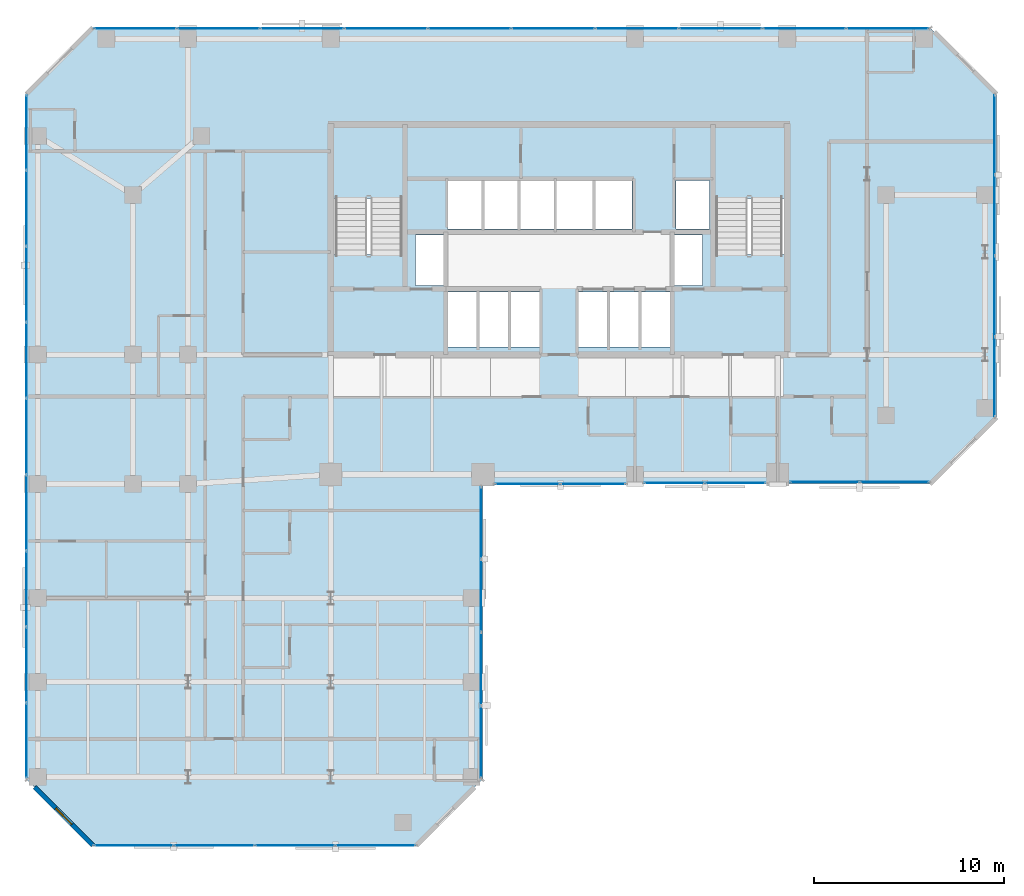
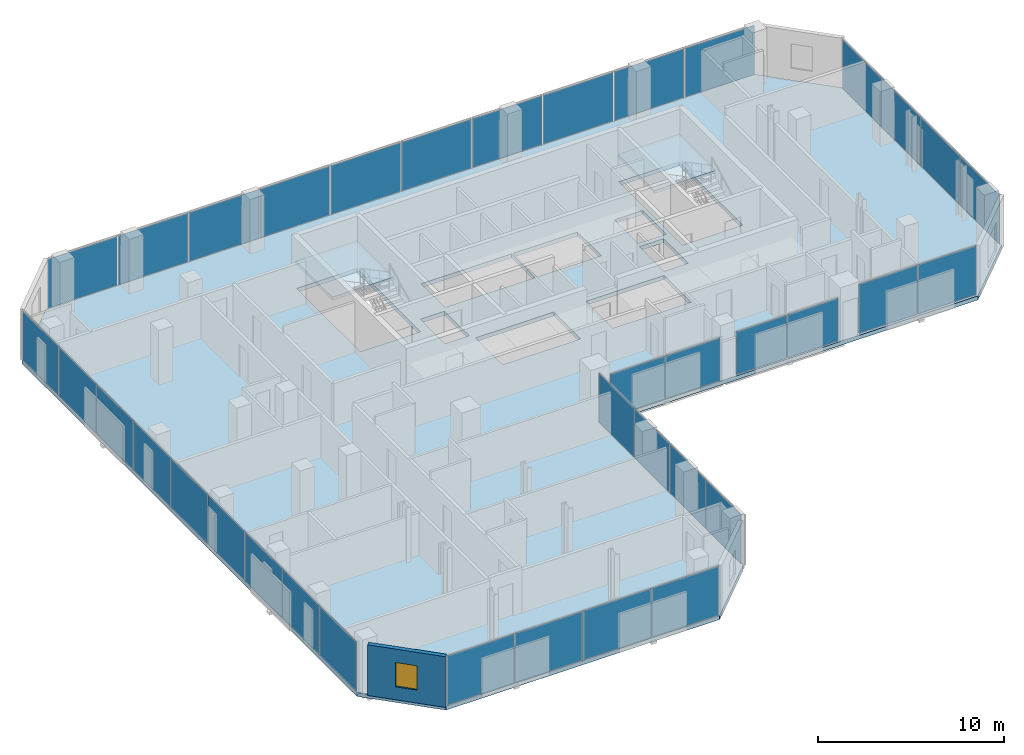
# One storey, part 27 of 35: 37 plates, 3 slabs, 1 wall, 1 window, 1 opening, 10 elements without a shape of their own.
"""IFC4 building model written with IfcOpenShell, lengths in metres."""

from ifc_helpers import new_model, si_unit, direction, frame, frame_2d, origin, origin_2d, place, context, subcontext, project, spatial, polyline, rectangle, outline, extrude, material, layer, layer_set, type_object, element, fill, aggregate, save


model = new_model("IFC4")

# Units and contexts
model_context = context("Model", 3, precision=1e-05, world=origin(), true_north=direction((0.0, 1.0)))
body_context = subcontext(model_context, "Body", "Model", "MODEL_VIEW")
ifc_project = project(units=[si_unit("LENGTHUNIT", "METRE"), si_unit("AREAUNIT", "SQUARE_METRE"), si_unit("VOLUMEUNIT", "CUBIC_METRE"), si_unit("PLANEANGLEUNIT", "RADIAN"), si_unit("MASSUNIT", "GRAM", prefix="KILO")], contexts=[model_context])

# Site, building, storey
site_placement = place(None, origin())
site = spatial("IfcSite", under=ifc_project, at=site_placement, CompositionType="ELEMENT")
building_placement = place(site_placement, origin())
building = spatial("IfcBuilding", under=site, at=building_placement, Name="Catumbela Crestline Tower", CompositionType="ELEMENT")
storey_placement = place(building_placement, frame((0.0, 0.0, 90.0)))
storey = spatial("IfcBuildingStorey", under=building, at=storey_placement, Name="L22", CompositionType="ELEMENT", Elevation=90.0)

# Curtain wall, plates
ifc_material_1 = material(Name="Aluminium alloy AW-6060-T66", Category="aluminium")
ifc_layer_1 = layer(ifc_material_1, 0.18, Name="Aluminium alloy AW-6060-T66")
ifc_layer_set_1 = layer_set([ifc_layer_1], Name="Aluminium alloy AW-6060-T66")
curtain_wall_type = type_object("IfcCurtainWallType", Name="CWU-Z2", PredefinedType="USERDEFINED", material=ifc_layer_set_1)
curtain_wall_1_placement = place(storey_placement, origin())
curtain_wall_1 = element("IfcCurtainWall", 1, at=curtain_wall_1_placement, inside=storey, type_object=curtain_wall_type, Name="L22 Unitised Curtain Wall CW-L22-E0S1", ObjectType="UNITISED", PredefinedType="USERDEFINED")
ifc_material_2 = material(Name="Low-E laminated solar-control double glazing", Category="glass")
ifc_layer_2 = layer(ifc_material_2, 0.036, Name="Low-E laminated solar-control double glazing")
ifc_layer_set_2 = layer_set([ifc_layer_2], Name="Low-E laminated solar-control double glazing")
plate_type = type_object("IfcPlateType", Name="PNL-GLZ-Z2", PredefinedType="CURTAIN_PANEL", material=ifc_layer_set_2)
plate_1_placement = place(storey_placement, frame((5.6412, 5.0, 0.06), z_axis=(0.0, 0.0, 1.0), x_axis=(1.0, 0.0, 0.0)))
plate_1 = element("IfcPlate", 2, at=plate_1_placement, type_object=plate_type, Name="CWU-Z2 panel 1.1", PredefinedType="CURTAIN_PANEL", context=body_context, shape_type="SweptSolid", body=[
    extrude(rectangle(XDim=4.1525, YDim=0.034, at=origin_2d()), origin(), (0.0, 0.0, 1.0), 3.21),
])
plate_2_placement = place(storey_placement, frame((9.875, 5.0, 0.06), z_axis=(0.0, 0.0, 1.0), x_axis=(1.0, 0.0, 0.0)))
plate_2 = element("IfcPlate", 3, at=plate_2_placement, type_object=plate_type, Name="CWU-Z2 panel 2.1", PredefinedType="CURTAIN_PANEL", context=body_context, shape_type="SweptSolid", body=[
    extrude(rectangle(XDim=4.185, YDim=0.034, at=origin_2d()), origin(), (0.0, 0.0, 1.0), 3.21),
])
plate_3_placement = place(storey_placement, frame((14.125, 5.0, 0.06), z_axis=(0.0, 0.0, 1.0), x_axis=(1.0, 0.0, 0.0)))
plate_3 = element("IfcPlate", 4, at=plate_3_placement, type_object=plate_type, Name="CWU-Z2 panel 3.1", PredefinedType="CURTAIN_PANEL", context=body_context, shape_type="SweptSolid", body=[
    extrude(rectangle(XDim=4.185, YDim=0.034, at=origin_2d()), origin(), (0.0, 0.0, 1.0), 3.21),
])
plate_4_placement = place(storey_placement, frame((18.3588, 5.0, 0.06), z_axis=(0.0, 0.0, 1.0), x_axis=(1.0, 0.0, 0.0)))
plate_4 = element("IfcPlate", 5, at=plate_4_placement, type_object=plate_type, Name="CWU-Z2 panel 4.1", PredefinedType="CURTAIN_PANEL", context=body_context, shape_type="SweptSolid", body=[
    extrude(rectangle(XDim=4.1525, YDim=0.034, at=origin_2d()), origin(), (0.0, 0.0, 1.0), 3.21),
])
aggregate(curtain_wall_1, [plate_1, plate_2, plate_3, plate_4])

curtain_wall_2_placement = place(storey_placement, origin())
curtain_wall_2 = element("IfcCurtainWall", 6, at=curtain_wall_2_placement, inside=storey, type_object=curtain_wall_type, Name="L22 Unitised Curtain Wall CW-L22-E2S1", ObjectType="UNITISED", PredefinedType="USERDEFINED")
plate_5_placement = place(storey_placement, frame((23.9, 10.4412, 0.06), z_axis=(0.0, 0.0, 1.0), x_axis=(0.0, 1.0, 0.0)))
plate_5 = element("IfcPlate", 7, at=plate_5_placement, type_object=plate_type, Name="CWU-Z2 panel 1.1", PredefinedType="CURTAIN_PANEL", context=body_context, shape_type="SweptSolid", body=[
    extrude(rectangle(XDim=3.7525, YDim=0.034, at=origin_2d()), origin(), (0.0, 0.0, 1.0), 3.21),
])
plate_6_placement = place(storey_placement, frame((23.9, 14.275, 0.06), z_axis=(0.0, 0.0, 1.0), x_axis=(0.0, 1.0, 0.0)))
plate_6 = element("IfcPlate", 8, at=plate_6_placement, type_object=plate_type, Name="CWU-Z2 panel 2.1", PredefinedType="CURTAIN_PANEL", context=body_context, shape_type="SweptSolid", body=[
    extrude(rectangle(XDim=3.785, YDim=0.034, at=origin_2d()), origin(), (0.0, 0.0, 1.0), 3.21),
])
plate_7_placement = place(storey_placement, frame((23.9, 18.125, 0.06), z_axis=(0.0, 0.0, 1.0), x_axis=(0.0, 1.0, 0.0)))
plate_7 = element("IfcPlate", 9, at=plate_7_placement, type_object=plate_type, Name="CWU-Z2 panel 3.1", PredefinedType="CURTAIN_PANEL", context=body_context, shape_type="SweptSolid", body=[
    extrude(rectangle(XDim=3.785, YDim=0.034, at=origin_2d()), origin(), (0.0, 0.0, 1.0), 3.21),
])
plate_8_placement = place(storey_placement, frame((23.9, 21.9587, 0.06), z_axis=(0.0, 0.0, 1.0), x_axis=(0.0, 1.0, 0.0)))
plate_8 = element("IfcPlate", 10, at=plate_8_placement, type_object=plate_type, Name="CWU-Z2 panel 4.1", PredefinedType="CURTAIN_PANEL", context=body_context, shape_type="SweptSolid", body=[
    extrude(rectangle(XDim=3.7525, YDim=0.034, at=origin_2d()), origin(), (0.0, 0.0, 1.0), 3.21),
])
aggregate(curtain_wall_2, [plate_5, plate_6, plate_7, plate_8])

curtain_wall_3_placement = place(storey_placement, origin())
curtain_wall_3 = element("IfcCurtainWall", 11, at=curtain_wall_3_placement, inside=storey, type_object=curtain_wall_type, Name="L22 Unitised Curtain Wall CW-L22-E3S1", ObjectType="UNITISED", PredefinedType="USERDEFINED")
plate_9_placement = place(storey_placement, frame((26.3538, 24.0, 0.06), z_axis=(0.0, 0.0, 1.0), x_axis=(1.0, 0.0, 0.0)))
plate_9 = element("IfcPlate", 12, at=plate_9_placement, type_object=plate_type, Name="CWU-Z2 panel 1.1", PredefinedType="CURTAIN_PANEL", context=body_context, shape_type="SweptSolid", body=[
    extrude(rectangle(XDim=3.3775, YDim=0.034, at=origin_2d()), origin(), (0.0, 0.0, 1.0), 2.8),
])
plate_10_placement = place(storey_placement, frame((29.7962, 24.0, 0.06), z_axis=(0.0, 0.0, 1.0), x_axis=(1.0, 0.0, 0.0)))
plate_10 = element("IfcPlate", 13, at=plate_10_placement, type_object=plate_type, Name="CWU-Z2 panel 2.1", PredefinedType="CURTAIN_PANEL", context=body_context, shape_type="SweptSolid", body=[
    extrude(rectangle(XDim=3.3775, YDim=0.034, at=origin_2d()), origin(), (0.0, 0.0, 1.0), 2.8),
])
aggregate(curtain_wall_3, [plate_9, plate_10])

curtain_wall_4_placement = place(storey_placement, origin())
curtain_wall_4 = element("IfcCurtainWall", 14, at=curtain_wall_4_placement, inside=storey, type_object=curtain_wall_type, Name="L22 Unitised Curtain Wall CW-L22-E3S2", ObjectType="UNITISED", PredefinedType="USERDEFINED")
plate_11_placement = place(storey_placement, frame((34.0788, 24.05, 0.06), z_axis=(0.0, 0.0, 1.0), x_axis=(1.0, 0.0, 0.0)))
plate_11 = element("IfcPlate", 15, at=plate_11_placement, type_object=plate_type, Name="CWU-Z2 panel 1.1", PredefinedType="CURTAIN_PANEL", context=body_context, shape_type="SweptSolid", body=[
    extrude(rectangle(XDim=3.1275, YDim=0.034, at=origin_2d()), origin(), (0.0, 0.0, 1.0), 2.8),
])
plate_12_placement = place(storey_placement, frame((37.2712, 24.05, 0.06), z_axis=(0.0, 0.0, 1.0), x_axis=(1.0, 0.0, 0.0)))
plate_12 = element("IfcPlate", 16, at=plate_12_placement, type_object=plate_type, Name="CWU-Z2 panel 2.1", PredefinedType="CURTAIN_PANEL", context=body_context, shape_type="SweptSolid", body=[
    extrude(rectangle(XDim=3.1275, YDim=0.034, at=origin_2d()), origin(), (0.0, 0.0, 1.0), 2.8),
])
aggregate(curtain_wall_4, [plate_11, plate_12])

curtain_wall_5_placement = place(storey_placement, origin())
curtain_wall_5 = element("IfcCurtainWall", 17, at=curtain_wall_5_placement, inside=storey, type_object=curtain_wall_type, Name="L22 Unitised Curtain Wall CW-L22-E3S3", ObjectType="UNITISED", PredefinedType="USERDEFINED")
plate_13_placement = place(storey_placement, frame((41.9662, 24.1, 0.06), z_axis=(0.0, 0.0, 1.0), x_axis=(1.0, 0.0, 0.0)))
plate_13 = element("IfcPlate", 18, at=plate_13_placement, type_object=plate_type, Name="CWU-Z2 panel 1.1", PredefinedType="CURTAIN_PANEL", context=body_context, shape_type="SweptSolid", body=[
    extrude(rectangle(XDim=3.6025, YDim=0.034, at=origin_2d()), origin(), (0.0, 0.0, 1.0), 3.21),
])
plate_14_placement = place(storey_placement, frame((45.6338, 24.1, 0.06), z_axis=(0.0, 0.0, 1.0), x_axis=(1.0, 0.0, 0.0)))
plate_14 = element("IfcPlate", 19, at=plate_14_placement, type_object=plate_type, Name="CWU-Z2 panel 2.1", PredefinedType="CURTAIN_PANEL", context=body_context, shape_type="SweptSolid", body=[
    extrude(rectangle(XDim=3.6025, YDim=0.034, at=origin_2d()), origin(), (0.0, 0.0, 1.0), 3.21),
])
aggregate(curtain_wall_5, [plate_13, plate_14])

curtain_wall_6_placement = place(storey_placement, origin())
curtain_wall_6 = element("IfcCurtainWall", 20, at=curtain_wall_6_placement, inside=storey, type_object=curtain_wall_type, Name="L22 Unitised Curtain Wall CW-L22-E5S1", ObjectType="UNITISED", PredefinedType="USERDEFINED")
plate_15_placement = place(storey_placement, frame((50.9, 29.6412, 0.06), z_axis=(0.0, 0.0, 1.0), x_axis=(0.0, 1.0, 0.0)))
plate_15 = element("IfcPlate", 21, at=plate_15_placement, type_object=plate_type, Name="CWU-Z2 panel 1.1", PredefinedType="CURTAIN_PANEL", context=body_context, shape_type="SweptSolid", body=[
    extrude(rectangle(XDim=4.1525, YDim=0.034, at=origin_2d()), origin(), (0.0, 0.0, 1.0), 3.21),
])
plate_16_placement = place(storey_placement, frame((50.9, 33.875, 0.06), z_axis=(0.0, 0.0, 1.0), x_axis=(0.0, 1.0, 0.0)))
plate_16 = element("IfcPlate", 22, at=plate_16_placement, type_object=plate_type, Name="CWU-Z2 panel 2.1", PredefinedType="CURTAIN_PANEL", context=body_context, shape_type="SweptSolid", body=[
    extrude(rectangle(XDim=4.185, YDim=0.034, at=origin_2d()), origin(), (0.0, 0.0, 1.0), 3.21),
])
plate_17_placement = place(storey_placement, frame((50.9, 38.125, 0.06), z_axis=(0.0, 0.0, 1.0), x_axis=(0.0, 1.0, 0.0)))
plate_17 = element("IfcPlate", 23, at=plate_17_placement, type_object=plate_type, Name="CWU-Z2 panel 3.1", PredefinedType="CURTAIN_PANEL", context=body_context, shape_type="SweptSolid", body=[
    extrude(rectangle(XDim=4.185, YDim=0.034, at=origin_2d()), origin(), (0.0, 0.0, 1.0), 3.21),
])
plate_18_placement = place(storey_placement, frame((50.9, 42.3588, 0.06), z_axis=(0.0, 0.0, 1.0), x_axis=(0.0, 1.0, 0.0)))
plate_18 = element("IfcPlate", 24, at=plate_18_placement, type_object=plate_type, Name="CWU-Z2 panel 4.1", PredefinedType="CURTAIN_PANEL", context=body_context, shape_type="SweptSolid", body=[
    extrude(rectangle(XDim=4.1525, YDim=0.034, at=origin_2d()), origin(), (0.0, 0.0, 1.0), 3.21),
])
aggregate(curtain_wall_6, [plate_15, plate_16, plate_17, plate_18])

curtain_wall_7_placement = place(storey_placement, origin())
curtain_wall_7 = element("IfcCurtainWall", 25, at=curtain_wall_7_placement, inside=storey, type_object=curtain_wall_type, Name="L22 Unitised Curtain Wall CW-L22-E7S1", ObjectType="UNITISED", PredefinedType="USERDEFINED")
plate_19_placement = place(storey_placement, frame((45.2838, 47.95, 0.06), z_axis=(0.0, 0.0, 1.0), x_axis=(-1.0, 0.0, 0.0)))
plate_19 = element("IfcPlate", 26, at=plate_19_placement, type_object=plate_type, Name="CWU-Z2 panel 1.1", PredefinedType="CURTAIN_PANEL", context=body_context, shape_type="SweptSolid", body=[
    extrude(rectangle(XDim=4.3025, YDim=0.034, at=origin_2d()), origin(), (0.0, 0.0, 1.0), 3.21),
])
plate_20_placement = place(storey_placement, frame((40.9, 47.95, 0.06), z_axis=(0.0, 0.0, 1.0), x_axis=(-1.0, 0.0, 0.0)))
plate_20 = element("IfcPlate", 27, at=plate_20_placement, type_object=plate_type, Name="CWU-Z2 panel 2.1", PredefinedType="CURTAIN_PANEL", context=body_context, shape_type="SweptSolid", body=[
    extrude(rectangle(XDim=4.335, YDim=0.034, at=origin_2d()), origin(), (0.0, 0.0, 1.0), 3.21),
])
plate_21_placement = place(storey_placement, frame((36.5, 47.95, 0.06), z_axis=(0.0, 0.0, 1.0), x_axis=(-1.0, 0.0, 0.0)))
plate_21 = element("IfcPlate", 28, at=plate_21_placement, type_object=plate_type, Name="CWU-Z2 panel 3.1", PredefinedType="CURTAIN_PANEL", context=body_context, shape_type="SweptSolid", body=[
    extrude(rectangle(XDim=4.335, YDim=0.034, at=origin_2d()), origin(), (0.0, 0.0, 1.0), 3.21),
])
plate_22_placement = place(storey_placement, frame((32.1, 47.95, 0.06), z_axis=(0.0, 0.0, 1.0), x_axis=(-1.0, 0.0, 0.0)))
plate_22 = element("IfcPlate", 29, at=plate_22_placement, type_object=plate_type, Name="CWU-Z2 panel 4.1", PredefinedType="CURTAIN_PANEL", context=body_context, shape_type="SweptSolid", body=[
    extrude(rectangle(XDim=4.335, YDim=0.034, at=origin_2d()), origin(), (0.0, 0.0, 1.0), 3.21),
])
plate_23_placement = place(storey_placement, frame((27.7, 47.95, 0.06), z_axis=(0.0, 0.0, 1.0), x_axis=(-1.0, 0.0, 0.0)))
plate_23 = element("IfcPlate", 30, at=plate_23_placement, type_object=plate_type, Name="CWU-Z2 panel 5.1", PredefinedType="CURTAIN_PANEL", context=body_context, shape_type="SweptSolid", body=[
    extrude(rectangle(XDim=4.335, YDim=0.034, at=origin_2d()), origin(), (0.0, 0.0, 1.0), 3.21),
])
plate_24_placement = place(storey_placement, frame((23.3, 47.95, 0.06), z_axis=(0.0, 0.0, 1.0), x_axis=(-1.0, 0.0, 0.0)))
plate_24 = element("IfcPlate", 31, at=plate_24_placement, type_object=plate_type, Name="CWU-Z2 panel 6.1", PredefinedType="CURTAIN_PANEL", context=body_context, shape_type="SweptSolid", body=[
    extrude(rectangle(XDim=4.335, YDim=0.034, at=origin_2d()), origin(), (0.0, 0.0, 1.0), 3.21),
])
plate_25_placement = place(storey_placement, frame((18.9, 47.95, 0.06), z_axis=(0.0, 0.0, 1.0), x_axis=(-1.0, 0.0, 0.0)))
plate_25 = element("IfcPlate", 32, at=plate_25_placement, type_object=plate_type, Name="CWU-Z2 panel 7.1", PredefinedType="CURTAIN_PANEL", context=body_context, shape_type="SweptSolid", body=[
    extrude(rectangle(XDim=4.335, YDim=0.034, at=origin_2d()), origin(), (0.0, 0.0, 1.0), 3.21),
])
plate_26_placement = place(storey_placement, frame((14.5, 47.95, 0.06), z_axis=(0.0, 0.0, 1.0), x_axis=(-1.0, 0.0, 0.0)))
plate_26 = element("IfcPlate", 33, at=plate_26_placement, type_object=plate_type, Name="CWU-Z2 panel 8.1", PredefinedType="CURTAIN_PANEL", context=body_context, shape_type="SweptSolid", body=[
    extrude(rectangle(XDim=4.335, YDim=0.034, at=origin_2d()), origin(), (0.0, 0.0, 1.0), 3.21),
])
plate_27_placement = place(storey_placement, frame((10.1, 47.95, 0.06), z_axis=(0.0, 0.0, 1.0), x_axis=(-1.0, 0.0, 0.0)))
plate_27 = element("IfcPlate", 34, at=plate_27_placement, type_object=plate_type, Name="CWU-Z2 panel 9.1", PredefinedType="CURTAIN_PANEL", context=body_context, shape_type="SweptSolid", body=[
    extrude(rectangle(XDim=4.335, YDim=0.034, at=origin_2d()), origin(), (0.0, 0.0, 1.0), 3.21),
])
plate_28_placement = place(storey_placement, frame((5.7162, 47.95, 0.06), z_axis=(0.0, 0.0, 1.0), x_axis=(-1.0, 0.0, 0.0)))
plate_28 = element("IfcPlate", 35, at=plate_28_placement, type_object=plate_type, Name="CWU-Z2 panel 10.1", PredefinedType="CURTAIN_PANEL", context=body_context, shape_type="SweptSolid", body=[
    extrude(rectangle(XDim=4.3025, YDim=0.034, at=origin_2d()), origin(), (0.0, 0.0, 1.0), 3.21),
])
aggregate(curtain_wall_7, [plate_19, plate_20, plate_21, plate_22, plate_23, plate_24, plate_25, plate_26, plate_27, plate_28])

curtain_wall_8_placement = place(storey_placement, origin())
curtain_wall_8 = element("IfcCurtainWall", 36, at=curtain_wall_8_placement, inside=storey, type_object=curtain_wall_type, Name="L22 Unitised Curtain Wall CW-L22-E9S1", ObjectType="UNITISED", PredefinedType="USERDEFINED")
plate_29_placement = place(storey_placement, frame((0.0, 42.4838, 0.06), z_axis=(0.0, 0.0, 1.0), x_axis=(0.0, -1.0, 0.0)))
plate_29 = element("IfcPlate", 37, at=plate_29_placement, type_object=plate_type, Name="CWU-Z2 panel 1.1", PredefinedType="CURTAIN_PANEL", context=body_context, shape_type="SweptSolid", body=[
    extrude(rectangle(XDim=3.9025, YDim=0.034, at=origin_2d()), origin(), (0.0, 0.0, 1.0), 3.21),
])
plate_30_placement = place(storey_placement, frame((0.0, 38.5, 0.06), z_axis=(0.0, 0.0, 1.0), x_axis=(0.0, -1.0, 0.0)))
plate_30 = element("IfcPlate", 38, at=plate_30_placement, type_object=plate_type, Name="CWU-Z2 panel 2.1", PredefinedType="CURTAIN_PANEL", context=body_context, shape_type="SweptSolid", body=[
    extrude(rectangle(XDim=3.935, YDim=0.034, at=origin_2d()), origin(), (0.0, 0.0, 1.0), 3.21),
])
plate_31_placement = place(storey_placement, frame((0.0, 34.5, 0.06), z_axis=(0.0, 0.0, 1.0), x_axis=(0.0, -1.0, 0.0)))
plate_31 = element("IfcPlate", 39, at=plate_31_placement, type_object=plate_type, Name="CWU-Z2 panel 3.1", PredefinedType="CURTAIN_PANEL", context=body_context, shape_type="SweptSolid", body=[
    extrude(rectangle(XDim=3.935, YDim=0.034, at=origin_2d()), origin(), (0.0, 0.0, 1.0), 3.21),
])
plate_32_placement = place(storey_placement, frame((0.0, 30.5, 0.06), z_axis=(0.0, 0.0, 1.0), x_axis=(0.0, -1.0, 0.0)))
plate_32 = element("IfcPlate", 40, at=plate_32_placement, type_object=plate_type, Name="CWU-Z2 panel 4.1", PredefinedType="CURTAIN_PANEL", context=body_context, shape_type="SweptSolid", body=[
    extrude(rectangle(XDim=3.935, YDim=0.034, at=origin_2d()), origin(), (0.0, 0.0, 1.0), 3.21),
])
plate_33_placement = place(storey_placement, frame((0.0, 26.5, 0.06), z_axis=(0.0, 0.0, 1.0), x_axis=(0.0, -1.0, 0.0)))
plate_33 = element("IfcPlate", 41, at=plate_33_placement, type_object=plate_type, Name="CWU-Z2 panel 5.1", PredefinedType="CURTAIN_PANEL", context=body_context, shape_type="SweptSolid", body=[
    extrude(rectangle(XDim=3.935, YDim=0.034, at=origin_2d()), origin(), (0.0, 0.0, 1.0), 3.21),
])
plate_34_placement = place(storey_placement, frame((0.0, 22.5, 0.06), z_axis=(0.0, 0.0, 1.0), x_axis=(0.0, -1.0, 0.0)))
plate_34 = element("IfcPlate", 42, at=plate_34_placement, type_object=plate_type, Name="CWU-Z2 panel 6.1", PredefinedType="CURTAIN_PANEL", context=body_context, shape_type="SweptSolid", body=[
    extrude(rectangle(XDim=3.935, YDim=0.034, at=origin_2d()), origin(), (0.0, 0.0, 1.0), 3.21),
])
plate_35_placement = place(storey_placement, frame((0.0, 18.5, 0.06), z_axis=(0.0, 0.0, 1.0), x_axis=(0.0, -1.0, 0.0)))
plate_35 = element("IfcPlate", 43, at=plate_35_placement, type_object=plate_type, Name="CWU-Z2 panel 7.1", PredefinedType="CURTAIN_PANEL", context=body_context, shape_type="SweptSolid", body=[
    extrude(rectangle(XDim=3.935, YDim=0.034, at=origin_2d()), origin(), (0.0, 0.0, 1.0), 3.21),
])
plate_36_placement = place(storey_placement, frame((0.0, 14.5, 0.06), z_axis=(0.0, 0.0, 1.0), x_axis=(0.0, -1.0, 0.0)))
plate_36 = element("IfcPlate", 44, at=plate_36_placement, type_object=plate_type, Name="CWU-Z2 panel 8.1", PredefinedType="CURTAIN_PANEL", context=body_context, shape_type="SweptSolid", body=[
    extrude(rectangle(XDim=3.935, YDim=0.034, at=origin_2d()), origin(), (0.0, 0.0, 1.0), 3.21),
])
plate_37_placement = place(storey_placement, frame((0.0, 10.5162, 0.06), z_axis=(0.0, 0.0, 1.0), x_axis=(0.0, -1.0, 0.0)))
plate_37 = element("IfcPlate", 45, at=plate_37_placement, type_object=plate_type, Name="CWU-Z2 panel 9.1", PredefinedType="CURTAIN_PANEL", context=body_context, shape_type="SweptSolid", body=[
    extrude(rectangle(XDim=3.9025, YDim=0.034, at=origin_2d()), origin(), (0.0, 0.0, 1.0), 3.21),
])
aggregate(curtain_wall_8, [plate_29, plate_30, plate_31, plate_32, plate_33, plate_34, plate_35, plate_36, plate_37])

# Stair, slab
ifc_material_3 = material(Name="Concrete C45/55", Category="concrete")
stair_type = type_object("IfcStairType", Name="ST-DLG", PredefinedType="HALF_TURN_STAIR", material=ifc_material_3)
stair_1_placement = place(storey_placement, origin())
stair_1 = element("IfcStair", 46, at=stair_1_placement, inside=storey, type_object=stair_type, Name="L22 West Core Pressurised Exit Stair ST-01", PredefinedType="HALF_TURN_STAIR")
ifc_layer_3 = layer(ifc_material_3, 0.2, Name="Concrete C45/55")
ifc_layer_set_3 = layer_set([ifc_layer_3], Name="Concrete C45/55")
slab_type_1 = type_object("IfcSlabType", Name="SL-LND", PredefinedType="LANDING", material=ifc_layer_set_3)
slab_1_placement = place(storey_placement, frame((0.0, 0.0, 1.6)))
slab_1 = element("IfcSlab", 47, at=slab_1_placement, type_object=slab_type_1, Name="ST-01 landing 1", PredefinedType="LANDING", context=body_context, shape_type="SweptSolid", body=[
    extrude(outline(polyline([(19.91, 39.02), (19.91, 42.96), (16.09, 42.96), (16.09, 39.02), (19.91, 39.02)])), origin(), (0.0, 0.0, 1.0), 0.2),
])
aggregate(stair_1, [slab_1])

stair_2_placement = place(storey_placement, origin())
stair_2 = element("IfcStair", 48, at=stair_2_placement, inside=storey, type_object=stair_type, Name="L22 East Core Pressurised Exit Stair ST-02", PredefinedType="HALF_TURN_STAIR")
slab_2_placement = place(storey_placement, frame((0.0, 0.0, 1.6)))
slab_2 = element("IfcSlab", 49, at=slab_2_placement, type_object=slab_type_1, Name="ST-02 landing 1", PredefinedType="LANDING", context=body_context, shape_type="SweptSolid", body=[
    extrude(outline(polyline([(39.91, 39.02), (39.91, 42.96), (36.09, 42.96), (36.09, 39.02), (39.91, 39.02)])), origin(), (0.0, 0.0, 1.0), 0.2),
])
aggregate(stair_2, [slab_2])

# Slab
ifc_layer_4 = layer(ifc_material_3, 0.26, Name="Concrete C45/55")
ifc_layer_set_4 = layer_set([ifc_layer_4], Name="Concrete C45/55")
slab_type_2 = type_object("IfcSlabType", Name="SL-260", PredefinedType="FLOOR", material=ifc_layer_set_4)
slab_3_placement = place(storey_placement, frame((0.0, 0.0, -0.26)))
element("IfcSlab", 50, at=slab_3_placement, inside=storey, type_object=slab_type_2, Name="L22 Structural Floor Slab", PredefinedType="FLOOR", context=body_context, shape_type="SweptSolid", body=[
    extrude(outline(polyline([(3.5, 5.0), (20.5, 5.0), (24.0, 8.5), (24.0, 24.0), (47.5, 24.0), (51.0, 27.5), (51.0, 44.5), (47.5, 48.0), (3.5, 48.0), (0.0, 44.5), (0.0, 8.5), (3.5, 5.0)]), holes=[polyline([(16.13, 36.08), (19.87, 36.08), (19.87, 42.92), (16.13, 42.92), (16.13, 36.08)]), polyline([(36.13, 36.08), (39.87, 36.08), (39.87, 42.92), (36.13, 42.92), (36.13, 36.08)]), polyline([(22.15, 31.2), (27.0, 31.2), (27.0, 34.1), (22.15, 34.1), (22.15, 31.2)]), polyline([(29.0, 31.2), (33.85, 31.2), (33.85, 34.1), (29.0, 34.1), (29.0, 31.2)]), polyline([(22.15, 37.4), (27.75, 37.4), (27.75, 39.95), (22.15, 39.95), (22.15, 37.4)]), polyline([(27.85, 37.4), (31.85, 37.4), (31.85, 39.95), (27.85, 39.95), (27.85, 37.4)]), polyline([(20.45, 34.45), (21.95, 34.45), (21.95, 37.1), (20.45, 37.1), (20.45, 34.45)]), polyline([(34.05, 34.45), (35.55, 34.45), (35.55, 37.1), (34.05, 37.1), (34.05, 34.45)]), polyline([(34.15, 37.4), (35.9, 37.4), (35.9, 39.95), (34.15, 39.95), (34.15, 37.4)])]), origin(), (0.0, 0.0, 1.0), 0.26),
])

# Wall, opening, window
ifc_material_4 = material(Name="Angolan grey-ochre granite", Category="masonry")
ifc_layer_5 = layer(ifc_material_4, 0.25, Name="Angolan grey-ochre granite")
ifc_layer_set_5 = layer_set([ifc_layer_5], Name="Angolan grey-ochre granite")
wall_type = type_object("IfcWallType", Name="WE-250", PredefinedType="STANDARD", material=ifc_layer_set_5)
wall_placement = place(storey_placement, frame((0.4384, 8.0616, 0.0), z_axis=(0.0, 0.0, 1.0), x_axis=(0.707106781187, -0.707106781187, 0.0)))
wall = element("IfcWall", 51, at=wall_placement, inside=storey, type_object=wall_type, Name="L22 Granite Punched Window Wall 10-2", PredefinedType="STANDARD", context=body_context, shape_type="SweptSolid", body=[
    extrude(rectangle(XDim=4.3298, YDim=0.25, at=frame_2d((2.1649, 0.0))), origin(), (0.0, 0.0, 1.0), 3.33),
])
opening_placement = place(wall_placement, frame((1.5648, 0.0, 0.85)))
opening = element("IfcOpeningElement", 52, at=opening_placement, cuts=wall, Name="Opening WN-02", PredefinedType="OPENING", context=body_context, shape_type="SweptSolid", body=[
    extrude(rectangle(XDim=1.2, YDim=1.6, at=frame_2d((0.6, 0.8))), frame((0.0, 0.135, 0.0), z_axis=(0.0, -1.0, 0.0), x_axis=(1.0, 0.0, 0.0)), (0.0, 0.0, 1.0), 0.27),
])
window_type = type_object("IfcWindowType", Name="WO-1200", PartitioningType="SINGLE_PANEL", PredefinedType="WINDOW", material=ifc_material_2)
window_placement = place(opening_placement, origin())
window = element("IfcWindow", 53, at=window_placement, inside=storey, type_object=window_type, Name="L22 Facade Vision Window 134", OverallHeight=1.6, OverallWidth=1.2, PartitioningType="SINGLE_PANEL", PredefinedType="WINDOW", context=body_context, shape_type="SweptSolid", body=[
    extrude(rectangle(XDim=1.2, YDim=1.6, at=frame_2d((0.6, 0.8))), frame((0.0, 0.03, 0.0), z_axis=(0.0, -1.0, 0.0), x_axis=(1.0, 0.0, 0.0)), (0.0, 0.0, 1.0), 0.06),
])
fill(opening, window)

save(model, "model.ifc")
